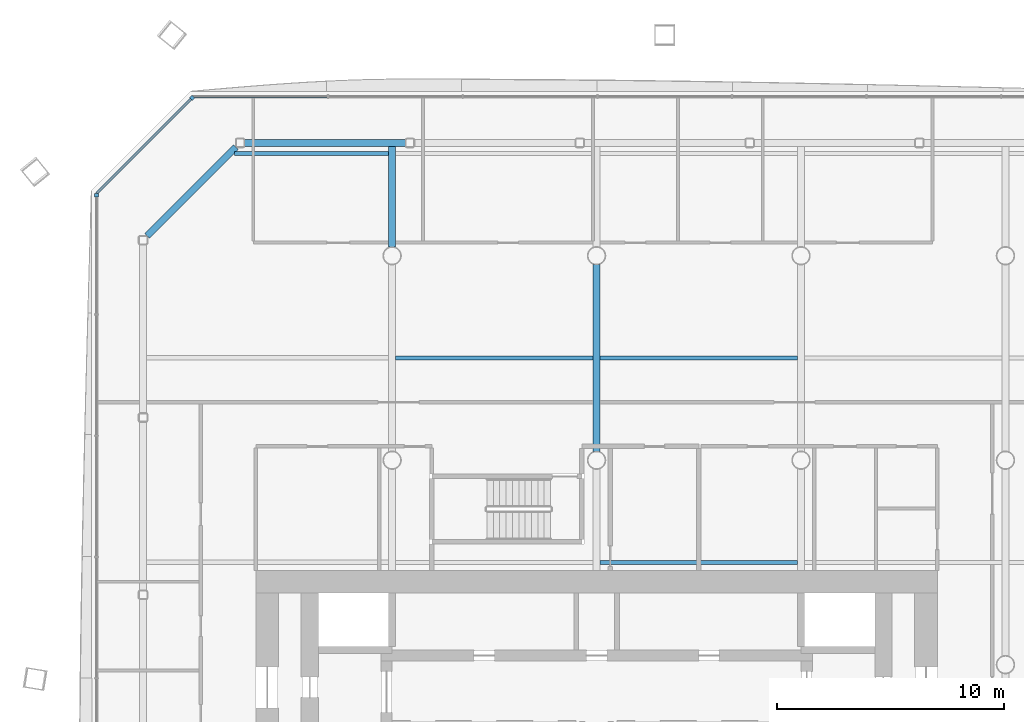
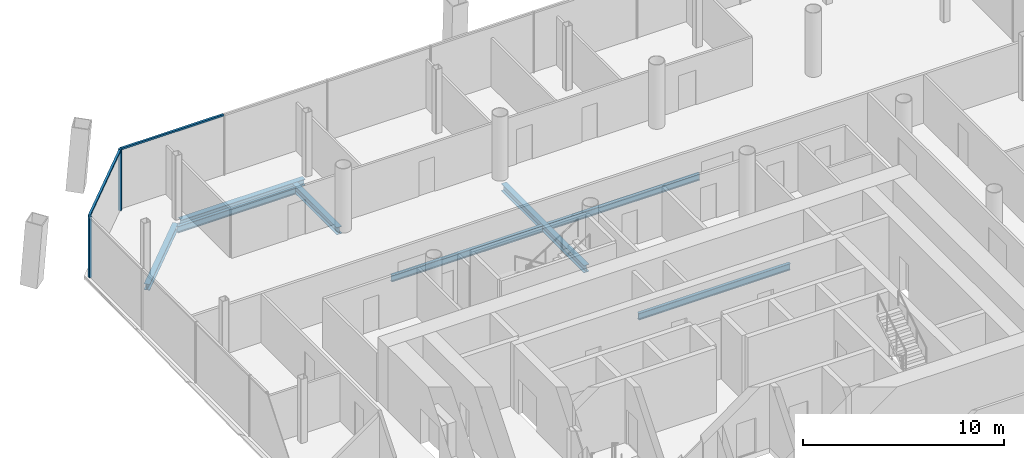
# One storey, part 7 of 19: 8 beams, 4 members, 3 elements without a shape of their own.
"""IFC4 building model written with IfcOpenShell, lengths in metres."""

from ifc_helpers import new_model, si_unit, direction, frame, origin, origin_2d, place, context, subcontext, project, spatial, rectangle, i_section, extrude, material, material_profile, profile_set, type_object, element, aggregate, save


model = new_model("IFC4")

# Units and contexts
model_context = context("Model", 3, precision=1e-05, world=origin(), true_north=direction((0.0, 1.0)))
body_context = subcontext(model_context, "Body", "Model", "MODEL_VIEW")
ifc_project = project(units=[si_unit("LENGTHUNIT", "METRE"), si_unit("AREAUNIT", "SQUARE_METRE"), si_unit("VOLUMEUNIT", "CUBIC_METRE"), si_unit("PLANEANGLEUNIT", "RADIAN"), si_unit("MASSUNIT", "GRAM", prefix="KILO")], contexts=[model_context])

# Site, building, storey
site_placement = place(None, origin())
site = spatial("IfcSite", under=ifc_project, at=site_placement, CompositionType="ELEMENT")
building_placement = place(site_placement, origin())
building = spatial("IfcBuilding", under=site, at=building_placement, Name="Tskaro Facet Tower", CompositionType="ELEMENT")
storey_placement = place(building_placement, frame((0.0, 0.0, 81.60009765625)))
storey = spatial("IfcBuildingStorey", under=building, at=storey_placement, Name="L19", CompositionType="ELEMENT", Elevation=81.60009765625)

# Curtain wall, member
ifc_material_1 = material(Name="Bronze anodised aluminium 6063-T6", Category="aluminium")
curtain_wall_type = type_object("IfcCurtainWallType", Name="Bronze office curtain wall (FW1)", PredefinedType="NOTDEFINED", material=ifc_material_1)
curtain_wall_1_placement = place(storey_placement, origin())
curtain_wall_1 = element("IfcCurtainWall", 1, at=curtain_wall_1_placement, inside=storey, type_object=curtain_wall_type, Name="FW1 north-west facet L19", PredefinedType="NOTDEFINED")
ifc_material_profile_1 = material_profile(ifc_material_1, rectangle(XDim=0.159912109375, YDim=0.159912109375, at=origin_2d()), Name="Corner post 160x160")
ifc_profile_set_1 = profile_set([ifc_material_profile_1], Name="Bronze anodised aluminium 6063-T6")
member_type_1 = type_object("IfcMemberType", Name="FW1 bronze corner post 160x160", PredefinedType="MULLION", material=ifc_profile_set_1)
member_1_placement = place(storey_placement, frame((-17.800537109375, 24.954345703125, 0.0), z_axis=(0.0, 0.0, 1.0), x_axis=(-0.707106781187, -0.707106781187, 0.0)))
member_1 = element("IfcMember", 2, at=member_1_placement, type_object=member_type_1, Name="FW1 north-west corner post", PredefinedType="MULLION", context=body_context, shape_type="SweptSolid", body=[
    extrude(rectangle(XDim=0.159912109375, YDim=0.159912109375, at=origin_2d()), origin(), (0.0, 0.0, 1.0), 3.699951171875),
])

curtain_wall_2_placement = place(storey_placement, origin())
curtain_wall_2 = element("IfcCurtainWall", 3, at=curtain_wall_2_placement, inside=storey, type_object=curtain_wall_type, Name="FW1 west facet L19", PredefinedType="NOTDEFINED")
member_2_placement = place(storey_placement, frame((-22.010986328125, 20.6640625, 0.0), z_axis=(0.0, 0.0, 1.0), x_axis=(0.0, -1.0, 0.0)))
member_2 = element("IfcMember", 4, at=member_2_placement, type_object=member_type_1, Name="FW1 west corner post", PredefinedType="MULLION", context=body_context, shape_type="SweptSolid", body=[
    extrude(rectangle(XDim=0.159912109375, YDim=0.159912109375, at=origin_2d()), origin(), (0.0, 0.0, 1.0), 3.699951171875),
])
aggregate(curtain_wall_2, [member_2])

curtain_wall_3_placement = place(storey_placement, origin())
curtain_wall_3 = element("IfcCurtainWall", 5, at=curtain_wall_3_placement, inside=storey, type_object=curtain_wall_type, Name="FW1 north facet L19", PredefinedType="NOTDEFINED")
ifc_material_profile_2 = material_profile(ifc_material_1, rectangle(XDim=0.1201171875, YDim=0.10009765625, at=origin_2d()), Name="Transom 120x100")
ifc_profile_set_2 = profile_set([ifc_material_profile_2], Name="Bronze anodised aluminium 6063-T6")
member_type_2 = type_object("IfcMemberType", Name="FW1 bronze transom 120x100", PredefinedType="USERDEFINED", material=ifc_profile_set_2)
member_3_placement = place(storey_placement, frame((-11.84716796875, 25.010986328125, 3.64990234375), z_axis=(-1.0, 0.0, 0.0), x_axis=(0.0, -1.0, 0.0)))
member_3 = element("IfcMember", 6, at=member_3_placement, type_object=member_type_2, Name="FW1 north transom 7.1", ObjectType="TRANSOM", PredefinedType="USERDEFINED", context=body_context, shape_type="SweptSolid", body=[
    extrude(rectangle(XDim=0.1201171875, YDim=0.10009765625, at=origin_2d()), origin(), (0.0, 0.0, 1.0), 5.896728515625),
])
aggregate(curtain_wall_3, [member_3])

# Member
member_4_placement = place(storey_placement, frame((-17.857177734375, 24.89794921875, 3.64990234375), z_axis=(-0.707086001347, -0.707127560416, 0.0), x_axis=(0.707127560416, -0.707086001347, 0.0)))
member_4 = element("IfcMember", 7, at=member_4_placement, type_object=member_type_2, Name="FW1 north-west transom 1.1", ObjectType="TRANSOM", PredefinedType="USERDEFINED", context=body_context, shape_type="SweptSolid", body=[
    extrude(rectangle(XDim=0.1201171875, YDim=0.10009765625, at=origin_2d()), origin(), (0.0, 0.0, 1.0), 5.87451171875),
])

aggregate(curtain_wall_1, [member_1, member_4])

# Beams
ifc_material_2 = material(Name="Steel S355J2", Category="steel")
ifc_material_profile_3 = material_profile(ifc_material_2, i_section(OverallWidth=0.300048828125, OverallDepth=0.360107421875, WebThickness=0.012451171875, FlangeThickness=0.0224609375, FilletRadius=0.027099609375, at=origin_2d()), Name="HE 360 B")
ifc_profile_set_3 = profile_set([ifc_material_profile_3], Name="Steel S355J2")
beam_type_1 = type_object("IfcBeamType", Name="HE 360 B ring beam", PredefinedType="BEAM", material=ifc_profile_set_3)
beam_1_placement = place(storey_placement, frame((-8.39404296875, 22.965087890625, -0.320068359375), z_axis=(-1.0, 0.0, 0.0), x_axis=(0.0, -1.0, 0.0)))
element("IfcBeam", 8, at=beam_1_placement, inside=storey, type_object=beam_type_1, Name="HE 360 B EB17-2", PredefinedType="BEAM", context=body_context, shape_type="SweptSolid", body=[
    extrude(i_section(OverallWidth=0.300048828125, OverallDepth=0.360107421875, WebThickness=0.012451171875, FlangeThickness=0.0224609375, FilletRadius=0.027099609375, at=origin_2d()), origin(), (0.0, 0.0, 1.0), 7.115966796875),
])
beam_2_placement = place(storey_placement, frame((-15.8759765625, 22.779052734375, -0.320068359375), z_axis=(-0.707106781187, -0.707106781187, 0.0), x_axis=(0.707106781187, -0.707106781187, 0.0)))
element("IfcBeam", 9, at=beam_2_placement, inside=storey, type_object=beam_type_1, Name="HE 360 B EB18-2", PredefinedType="BEAM", context=body_context, shape_type="SweptSolid", body=[
    extrude(i_section(OverallWidth=0.300048828125, OverallDepth=0.360107421875, WebThickness=0.012451171875, FlangeThickness=0.0224609375, FilletRadius=0.027099609375, at=origin_2d()), origin(), (0.0, 0.0, 1.0), 5.519775390625),
])
ifc_material_profile_4 = material_profile(ifc_material_2, i_section(OverallWidth=0.300048828125, OverallDepth=0.43994140625, WebThickness=0.011474609375, FlangeThickness=0.02099609375, FilletRadius=0.027099609375, at=origin_2d()), Name="HE 450 A")
ifc_profile_set_4 = profile_set([ifc_material_profile_4], Name="Steel S355J2")
beam_type_2 = type_object("IfcBeamType", Name="HE 450 A girder", PredefinedType="BEAM", material=ifc_profile_set_4)
beam_3_placement = place(storey_placement, frame((-9.0, 18.37646484375, -0.360107421875), z_axis=(0.0, 1.0, 0.0), x_axis=(-1.0, 0.0, 0.0)))
element("IfcBeam", 10, at=beam_3_placement, inside=storey, type_object=beam_type_2, Name="HE 450 A GB3-5-2", PredefinedType="BEAM", context=body_context, shape_type="SweptSolid", body=[
    extrude(i_section(OverallWidth=0.300048828125, OverallDepth=0.43994140625, WebThickness=0.011474609375, FlangeThickness=0.02099609375, FilletRadius=0.027099609375, at=origin_2d()), origin(), (0.0, 0.0, 1.0), 4.4384765625),
])
beam_4_placement = place(storey_placement, frame((0.0, 9.37646484375, -0.360107421875), z_axis=(0.0, 1.0, 0.0), x_axis=(-1.0, 0.0, 0.0)))
element("IfcBeam", 11, at=beam_4_placement, inside=storey, type_object=beam_type_2, Name="HE 450 A GB4-4-2", PredefinedType="BEAM", context=body_context, shape_type="SweptSolid", body=[
    extrude(i_section(OverallWidth=0.300048828125, OverallDepth=0.43994140625, WebThickness=0.011474609375, FlangeThickness=0.02099609375, FilletRadius=0.027099609375, at=origin_2d()), origin(), (0.0, 0.0, 1.0), 8.2470703125),
])
ifc_material_profile_5 = material_profile(ifc_material_2, i_section(OverallWidth=0.179931640625, OverallDepth=0.39990234375, WebThickness=0.008544921875, FlangeThickness=0.013427734375, FilletRadius=0.02099609375, at=origin_2d()), Name="IPE 400")
ifc_profile_set_5 = profile_set([ifc_material_profile_5], Name="Steel S355J2")
beam_type_3 = type_object("IfcBeamType", Name="IPE 400 secondary beam", PredefinedType="BEAM", material=ifc_profile_set_5)
for number, where, z_axis, x_axis, name in (
    (12, (0.14990234375, 4.5, -0.340087890625), (1.0, 0.0, 0.0), (0.0, 1.0, 0.0), "IPE 400 SB4a-3-2"),
    (13, (-8.85009765625, 13.5, -0.340087890625), (1.0, 0.0, 0.0), (0.0, 1.0, 0.0), "IPE 400 SB5a-2-2"),
    (14, (0.14990234375, 13.5, -0.340087890625), (1.0, 0.0, 0.0), (0.0, 1.0, 0.0), "IPE 400 SB5a-3-2"),
):
    element("IfcBeam", number, at=place(storey_placement, frame(where, z_axis=z_axis, x_axis=x_axis)), inside=storey, type_object=beam_type_3, Name=name, PredefinedType="BEAM", context=body_context, shape_type="SweptSolid", body=[
        extrude(i_section(OverallWidth=0.179931640625, OverallDepth=0.39990234375, WebThickness=0.008544921875, FlangeThickness=0.013427734375, FilletRadius=0.02099609375, at=origin_2d()), origin(), (0.0, 0.0, 1.0), 8.7001953125),
    ])
beam_5_placement = place(storey_placement, frame((-15.943115234375, 22.5, -0.340087890625), z_axis=(1.0, 0.0, 0.0), x_axis=(0.0, 1.0, 0.0)))
element("IfcBeam", 15, at=beam_5_placement, inside=storey, type_object=beam_type_3, Name="IPE 400 SB6a-1-2", PredefinedType="BEAM", context=body_context, shape_type="SweptSolid", body=[
    extrude(i_section(OverallWidth=0.179931640625, OverallDepth=0.39990234375, WebThickness=0.008544921875, FlangeThickness=0.013427734375, FilletRadius=0.02099609375, at=origin_2d()), origin(), (0.0, 0.0, 1.0), 6.793212890625),
])

save(model, "model.ifc")
